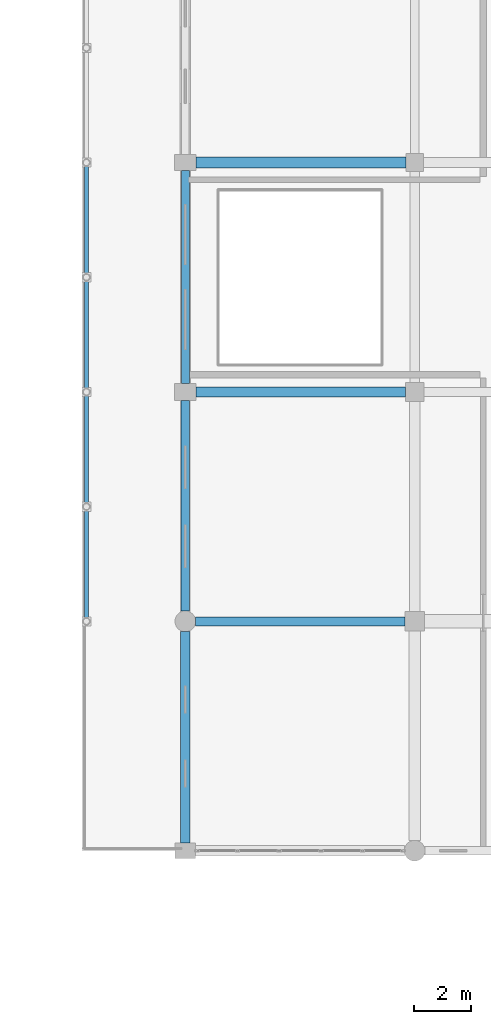
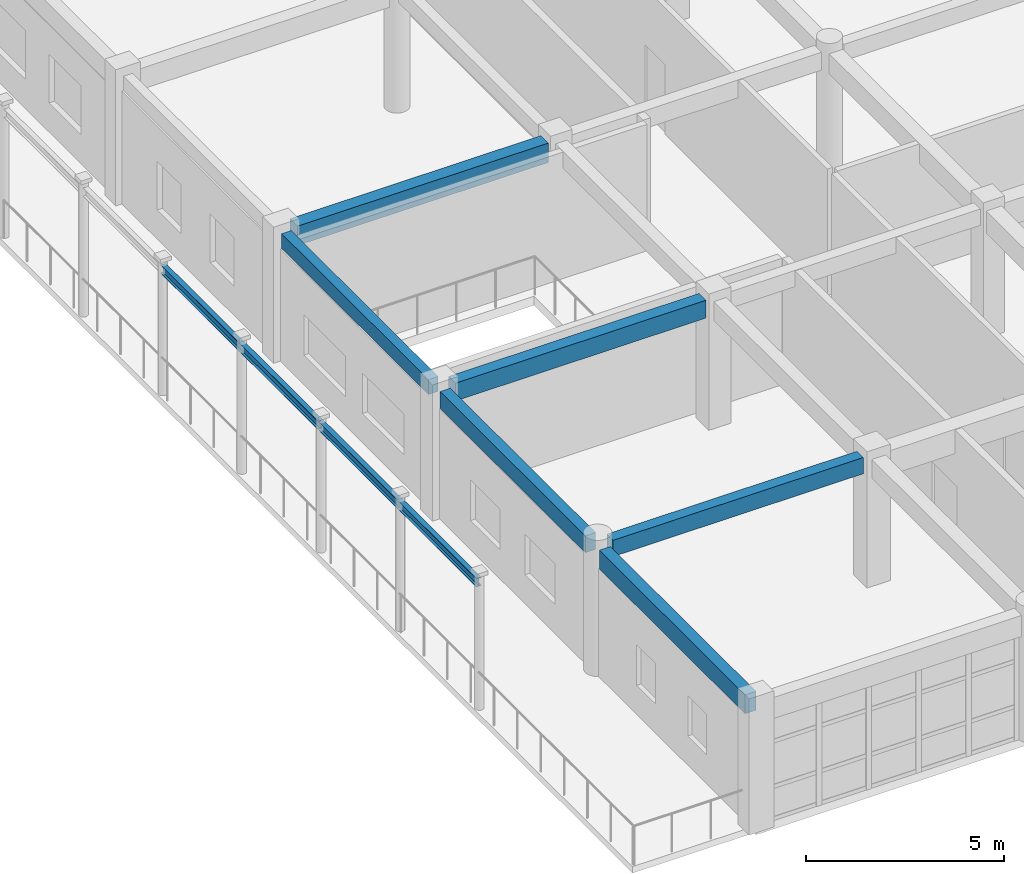
# One storey, part 124 of 195: 8 beams.
"""IFC4 building model written with IfcOpenShell, lengths in metres."""

from ifc_helpers import new_model, si_unit, direction, frame, origin, origin_2d, place, context, subcontext, project, spatial, rectangle, i_section, extrude, material, material_profile, profile_set, type_object, element, save


model = new_model("IFC4")

# Units and contexts
model_context = context("Model", 3, precision=1e-05, world=origin(), true_north=direction((0.0, 1.0)))
body_context = subcontext(model_context, "Body", "Model", "MODEL_VIEW")
ifc_project = project(units=[si_unit("LENGTHUNIT", "METRE"), si_unit("AREAUNIT", "SQUARE_METRE"), si_unit("VOLUMEUNIT", "CUBIC_METRE"), si_unit("PLANEANGLEUNIT", "RADIAN"), si_unit("MASSUNIT", "GRAM", prefix="KILO")], contexts=[model_context])

# Site, building, storey
site_placement = place(None, origin())
site = spatial("IfcSite", under=ifc_project, at=site_placement, CompositionType="ELEMENT")
building_placement = place(site_placement, origin())
building = spatial("IfcBuilding", under=site, at=building_placement, Name="Kharva Crest Polytechnic", CompositionType="ELEMENT")
storey_placement = place(building_placement, frame((0.0, 0.0, 9.0)))
storey = spatial("IfcBuildingStorey", under=building, at=storey_placement, Name="L02", CompositionType="ELEMENT", Elevation=9.0)

# Beams
ifc_material_1 = material(Name="Concrete C35/45", Category="concrete")
ifc_material_profile_1 = material_profile(ifc_material_1, rectangle(XDim=0.320068359375, YDim=0.5, at=origin_2d()), Name="RECT 320 X 500")
ifc_profile_set_1 = profile_set([ifc_material_profile_1], Name="Concrete C35/45")
beam_type_1 = type_object("IfcBeamType", Name="BM-RC-320X500", PredefinedType="BEAM", material=ifc_profile_set_1)
beam_1_placement = place(storey_placement, frame((153.159912109375, 46.800048828125, 3.669921875), z_axis=(1.0, 0.0, 0.0), x_axis=(0.0, 1.0, 0.0)))
element("IfcBeam", 1, at=beam_1_placement, inside=storey, type_object=beam_type_1, Name="L02 Beam G/20-21", PredefinedType="BEAM", context=body_context, shape_type="SweptSolid", body=[
    extrude(rectangle(XDim=0.320068359375, YDim=0.5, at=origin_2d()), origin(), (0.0, 0.0, 1.0), 7.300048828125),
])
ifc_material_profile_2 = material_profile(ifc_material_1, rectangle(XDim=0.35009765625, YDim=0.550048828125, at=origin_2d()), Name="RECT 350 X 550")
ifc_profile_set_2 = profile_set([ifc_material_profile_2], Name="Concrete C35/45")
beam_type_2 = type_object("IfcBeamType", Name="BM-RC-350X550", PredefinedType="BEAM", material=ifc_profile_set_2)
beam_2_placement = place(storey_placement, frame((153.175048828125, 54.800048828125, 3.64501953125), z_axis=(1.0, 0.0, 0.0), x_axis=(0.0, 1.0, 0.0)))
element("IfcBeam", 2, at=beam_2_placement, inside=storey, type_object=beam_type_2, Name="L02 Beam H/20-21", PredefinedType="BEAM", context=body_context, shape_type="SweptSolid", body=[
    extrude(rectangle(XDim=0.35009765625, YDim=0.550048828125, at=origin_2d()), origin(), (0.0, 0.0, 1.0), 7.300048828125),
])
ifc_material_profile_3 = material_profile(ifc_material_1, rectangle(XDim=0.3798828125, YDim=0.60009765625, at=origin_2d()), Name="RECT 380 X 600")
ifc_profile_set_3 = profile_set([ifc_material_profile_3], Name="Concrete C35/45")
beam_type_3 = type_object("IfcBeamType", Name="BM-RC-380X600", PredefinedType="BEAM", material=ifc_profile_set_3)
beam_3_placement = place(storey_placement, frame((153.175048828125, 62.800048828125, 3.6201171875), z_axis=(1.0, 0.0, 0.0), x_axis=(0.0, 1.0, 0.0)))
element("IfcBeam", 3, at=beam_3_placement, inside=storey, type_object=beam_type_3, Name="L02 Beam J/20-21", PredefinedType="BEAM", context=body_context, shape_type="SweptSolid", body=[
    extrude(rectangle(XDim=0.3798828125, YDim=0.60009765625, at=origin_2d()), origin(), (0.0, 0.0, 1.0), 7.31494140625),
])
ifc_material_2 = material(Name="Steel S355", Category="steel")
ifc_material_profile_4 = material_profile(ifc_material_2, i_section(OverallWidth=0.14599609375, OverallDepth=0.258056640625, WebThickness=0.006103515625, FlangeThickness=0.009033203125, at=origin_2d()), Name="W250X32.7")
ifc_profile_set_4 = profile_set([ifc_material_profile_4], Name="Steel S355")
beam_type_4 = type_object("IfcBeamType", Name="BM-STL-W250X32", PredefinedType="BEAM", material=ifc_profile_set_4)
for number, where, z_axis, x_axis, name in (
    (4, (149.35009765625, 46.820068359375, 3.861083984375), (0.0, 1.0, 0.0), (-1.0, 0.0, 0.0), "L02 East Veranda Beam 1"),
    (5, (149.35009765625, 54.820068359375, 3.861083984375), (0.0, 1.0, 0.0), (-1.0, 0.0, 0.0), "L02 East Veranda Beam 2"),
):
    element("IfcBeam", number, at=place(storey_placement, frame(where, z_axis=z_axis, x_axis=x_axis)), inside=storey, type_object=beam_type_4, Name=name, PredefinedType="BEAM", context=body_context, shape_type="SweptSolid", body=[
        extrude(i_section(OverallWidth=0.14599609375, OverallDepth=0.258056640625, WebThickness=0.006103515625, FlangeThickness=0.009033203125, at=origin_2d()), origin(), (0.0, 0.0, 1.0), 7.9599609375),
    ])
ifc_material_profile_5 = material_profile(ifc_material_1, rectangle(XDim=0.280029296875, YDim=0.4599609375, at=origin_2d()), Name="RECT 280 X 460")
ifc_profile_set_5 = profile_set([ifc_material_profile_5], Name="Concrete C35/45")
beam_type_5 = type_object("IfcBeamType", Name="SP-RC-280X460", PredefinedType="SPANDREL", material=ifc_profile_set_5)
beam_4_placement = place(storey_placement, frame((152.800048828125, 55.10009765625, 3.68994140625), z_axis=(0.0, 1.0, 0.0), x_axis=(-1.0, 0.0, 0.0)))
element("IfcBeam", 6, at=beam_4_placement, inside=storey, type_object=beam_type_5, Name="L02 Girder 20/H-J", PredefinedType="SPANDREL", context=body_context, shape_type="SweptSolid", body=[
    extrude(rectangle(XDim=0.280029296875, YDim=0.4599609375, at=origin_2d()), origin(), (0.0, 0.0, 1.0), 7.4248046875),
])
ifc_material_profile_6 = material_profile(ifc_material_1, rectangle(XDim=0.300048828125, YDim=0.52001953125, at=origin_2d()), Name="RECT 300 X 520")
ifc_profile_set_6 = profile_set([ifc_material_profile_6], Name="Concrete C35/45")
beam_type_6 = type_object("IfcBeamType", Name="SP-RC-300X520", PredefinedType="SPANDREL", material=ifc_profile_set_6)
beam_5_placement = place(storey_placement, frame((152.800048828125, 47.159912109375, 3.659912109375), z_axis=(0.0, 1.0, 0.0), x_axis=(-1.0, 0.0, 0.0)))
element("IfcBeam", 7, at=beam_5_placement, inside=storey, type_object=beam_type_6, Name="L02 Girder 20/G-H", PredefinedType="SPANDREL", context=body_context, shape_type="SweptSolid", body=[
    extrude(rectangle(XDim=0.300048828125, YDim=0.52001953125, at=origin_2d()), origin(), (0.0, 0.0, 1.0), 7.340087890625),
])
ifc_material_profile_7 = material_profile(ifc_material_1, rectangle(XDim=0.320068359375, YDim=0.580078125, at=origin_2d()), Name="RECT 320 X 580")
ifc_profile_set_7 = profile_set([ifc_material_profile_7], Name="Concrete C35/45")
beam_type_7 = type_object("IfcBeamType", Name="SP-RC-320X580", PredefinedType="SPANDREL", material=ifc_profile_set_7)
beam_6_placement = place(storey_placement, frame((152.800048828125, 39.074951171875, 3.6298828125), z_axis=(0.0, 1.0, 0.0), x_axis=(-1.0, 0.0, 0.0)))
element("IfcBeam", 8, at=beam_6_placement, inside=storey, type_object=beam_type_7, Name="L02 Girder 20/FJ-G", PredefinedType="SPANDREL", context=body_context, shape_type="SweptSolid", body=[
    extrude(rectangle(XDim=0.320068359375, YDim=0.580078125, at=origin_2d()), origin(), (0.0, 0.0, 1.0), 7.364990234375),
])

save(model, "model.ifc")
